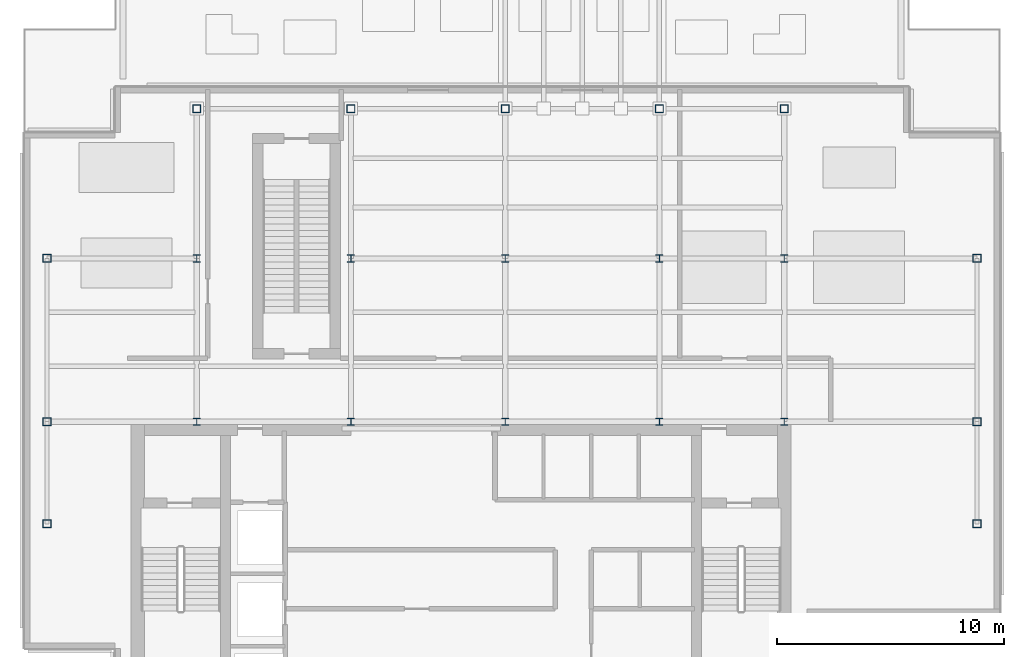
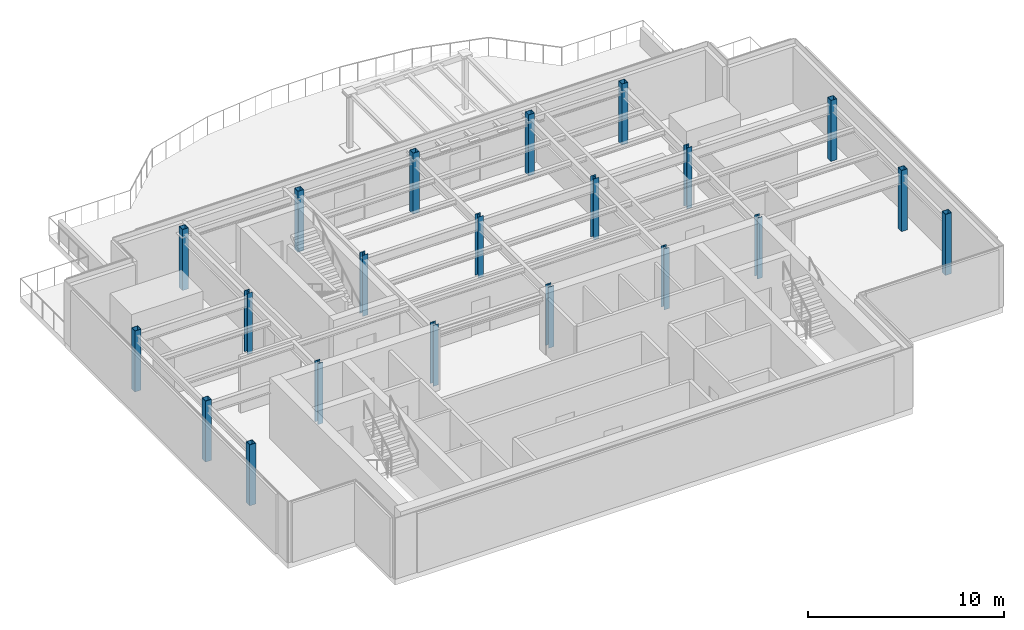
# One storey, part 1 of 9: 21 columns.
"""IFC4 building model written with IfcOpenShell, lengths in metres."""

from ifc_helpers import new_model, si_unit, derived_unit, direction, frame, origin, origin_2d, place, context, subcontext, project, spatial, hollow_rectangle, i_section, extrude, source, transform, mapped, material, material_profile, profile_set, type_object, element, save


model = new_model("IFC4")

# Units and contexts
model_context = context("Model", 3, precision=1e-05, world=origin(), true_north=direction((0.0, 1.0)))
body_context = subcontext(model_context, "Body", "Model", "MODEL_VIEW")
ifc_project = project(units=[si_unit("LENGTHUNIT", "METRE"), si_unit("AREAUNIT", "SQUARE_METRE"), si_unit("VOLUMEUNIT", "CUBIC_METRE"), si_unit("PLANEANGLEUNIT", "RADIAN"), si_unit("MASSUNIT", "GRAM", prefix="KILO"), derived_unit("THERMALTRANSMITTANCEUNIT", [(si_unit("POWERUNIT", "WATT"), 1), (si_unit("LENGTHUNIT", "METRE"), -2), (si_unit("THERMODYNAMICTEMPERATUREUNIT", "KELVIN"), -1)])], contexts=[model_context])

# Site, building, storey
site_placement = place(None, origin())
site = spatial("IfcSite", under=ifc_project, at=site_placement, CompositionType="ELEMENT")
building_placement = place(site_placement, origin())
building = spatial("IfcBuilding", under=site, at=building_placement, Name="Skarnbrae Concourse Arena and Tower", CompositionType="ELEMENT")
storey_placement = place(building_placement, frame((0.0, 0.0, 292.25)))
storey = spatial("IfcBuildingStorey", under=building, at=storey_placement, Name="L76", CompositionType="ELEMENT", Elevation=292.25)

# Columns
ifc_material = material(Name="Steel CSA G40.21 350W", Category="steel")
ifc_material_profile_1 = material_profile(ifc_material, hollow_rectangle(XDim=0.355712890625, YDim=0.355712890625, WallThickness=0.01904296875, at=origin_2d()), Name="HSS356X356X19.0")
ifc_profile_set_1 = profile_set([ifc_material_profile_1], Name="Steel CSA G40.21 350W")
column_type_1 = type_object("IfcColumnType", Name="COL-CROWN-HSS356", PredefinedType="COLUMN", material=ifc_profile_set_1)
shared_shape_1 = source(origin(), body_context, "Body", "SweptSolid", [
    extrude(hollow_rectangle(XDim=0.355712890625, YDim=0.355712890625, WallThickness=0.01904296875, at=origin_2d()), origin(), (0.0, 0.0, 1.0), 3.800048828125),
])
for number, where, z_axis, x_axis, name in (
    (1, (1.0, 9.5, 0.0), (0.0, 0.0, 1.0), (1.0, 0.0, 0.0), "L76 Tower column PC_01_01"),
    (2, (1.0, 14.0, 0.0), (0.0, 0.0, 1.0), (1.0, 0.0, 0.0), "L76 Tower column PC_01_02"),
    (3, (1.0, 21.199951171875, 0.0), (0.0, 0.0, 1.0), (1.0, 0.0, 0.0), "L76 Tower column PC_01_03"),
    (4, (7.60009765625, 27.800048828125, 0.0), (0.0, 0.0, 1.0), (1.0, 0.0, 0.0), "L76 Tower column PC_02_04"),
    (5, (14.39990234375, 27.800048828125, 0.0), (0.0, 0.0, 1.0), (1.0, 0.0, 0.0), "L76 Tower column PC_03_04"),
    (6, (21.199951171875, 27.800048828125, 0.0), (0.0, 0.0, 1.0), (1.0, 0.0, 0.0), "L76 Tower column PC_04_04"),
    (7, (28.0, 27.800048828125, 0.0), (0.0, 0.0, 1.0), (1.0, 0.0, 0.0), "L76 Tower column PC_05_04"),
    (8, (33.5, 27.800048828125, 0.0), (0.0, 0.0, 1.0), (1.0, 0.0, 0.0), "L76 Tower column PC_06_04"),
    (9, (42.0, 9.5, 0.0), (0.0, 0.0, 1.0), (1.0, 0.0, 0.0), "L76 Tower column PC_07_01"),
    (10, (42.0, 14.0, 0.0), (0.0, 0.0, 1.0), (1.0, 0.0, 0.0), "L76 Tower column PC_07_02"),
    (11, (42.0, 21.199951171875, 0.0), (0.0, 0.0, 1.0), (1.0, 0.0, 0.0), "L76 Tower column PC_07_03"),
):
    element("IfcColumn", number, at=place(storey_placement, frame(where, z_axis=z_axis, x_axis=x_axis)), inside=storey, type_object=column_type_1, Name=name, PredefinedType="COLUMN", context=body_context, shape_type="MappedRepresentation", body=[
        mapped(shared_shape_1, transform((0.0, 0.0, 0.0))),
    ])
ifc_material_profile_2 = material_profile(ifc_material, i_section(OverallWidth=0.30908203125, OverallDepth=0.322998046875, WebThickness=0.013916015625, FlangeThickness=0.02294921875, at=origin_2d()), Name="W310X143")
ifc_profile_set_2 = profile_set([ifc_material_profile_2], Name="Steel CSA G40.21 350W")
column_type_2 = type_object("IfcColumnType", Name="COL-INT-W310X143", PredefinedType="COLUMN", material=ifc_profile_set_2)
shared_shape_2 = source(origin(), body_context, "Body", "SweptSolid", [
    extrude(i_section(OverallWidth=0.30908203125, OverallDepth=0.322998046875, WebThickness=0.013916015625, FlangeThickness=0.02294921875, at=origin_2d()), origin(), (0.0, 0.0, 1.0), 3.800048828125),
])
for number, where, z_axis, x_axis, name in (
    (12, (7.60009765625, 14.0, 0.0), (0.0, 0.0, 1.0), (1.0, 0.0, 0.0), "L76 Tower column IC_02_02"),
    (13, (7.60009765625, 21.199951171875, 0.0), (0.0, 0.0, 1.0), (1.0, 0.0, 0.0), "L76 Tower column IC_02_03"),
    (14, (14.39990234375, 14.0, 0.0), (0.0, 0.0, 1.0), (1.0, 0.0, 0.0), "L76 Tower column IC_03_02"),
    (15, (14.39990234375, 21.199951171875, 0.0), (0.0, 0.0, 1.0), (1.0, 0.0, 0.0), "L76 Tower column IC_03_03"),
    (16, (21.199951171875, 14.0, 0.0), (0.0, 0.0, 1.0), (1.0, 0.0, 0.0), "L76 Tower column IC_04_02"),
    (17, (21.199951171875, 21.199951171875, 0.0), (0.0, 0.0, 1.0), (1.0, 0.0, 0.0), "L76 Tower column IC_04_03"),
    (18, (28.0, 14.0, 0.0), (0.0, 0.0, 1.0), (1.0, 0.0, 0.0), "L76 Tower column IC_05_02"),
    (19, (28.0, 21.199951171875, 0.0), (0.0, 0.0, 1.0), (1.0, 0.0, 0.0), "L76 Tower column IC_05_03"),
    (20, (33.5, 14.0, 0.0), (0.0, 0.0, 1.0), (1.0, 0.0, 0.0), "L76 Tower column IC_06_02"),
    (21, (33.5, 21.199951171875, 0.0), (0.0, 0.0, 1.0), (1.0, 0.0, 0.0), "L76 Tower column IC_06_03"),
):
    element("IfcColumn", number, at=place(storey_placement, frame(where, z_axis=z_axis, x_axis=x_axis)), inside=storey, type_object=column_type_2, Name=name, PredefinedType="COLUMN", context=body_context, shape_type="MappedRepresentation", body=[
        mapped(shared_shape_2, transform((0.0, 0.0, 0.0))),
    ])

save(model, "model.ifc")
